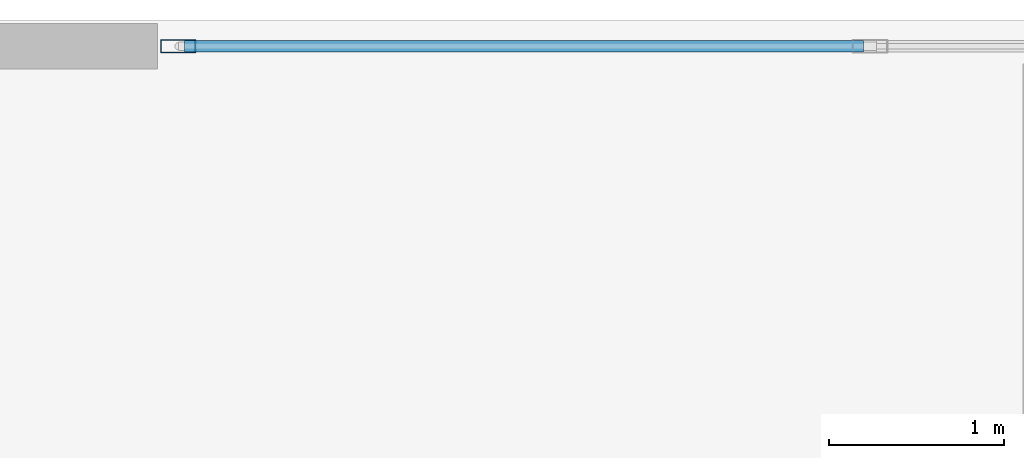
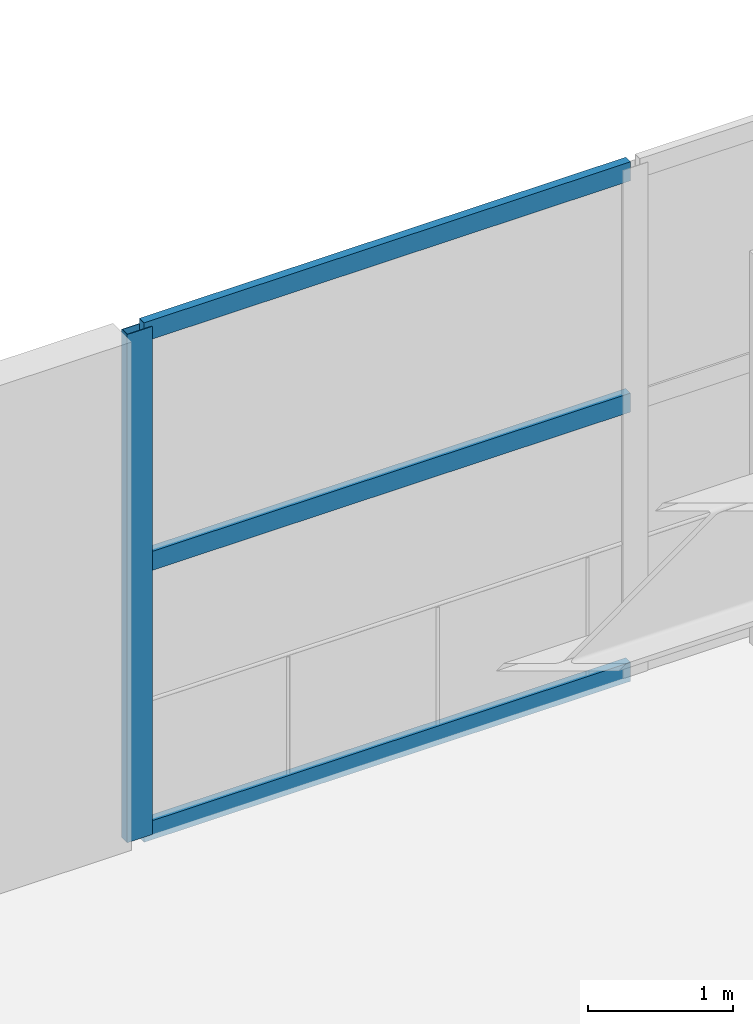
# One storey, part 10 of 25: 4 members, 1 element without a shape of its own.
"""IFC4 building model written with IfcOpenShell, lengths in metres."""

from ifc_helpers import new_model, si_unit, direction, frame, origin, origin_2d, place, context, subcontext, project, spatial, hollow_rectangle, extrude, material, layer, layer_set, material_profile, profile_set, type_object, element, aggregate, save


model = new_model("IFC4")

# Units and contexts
model_context = context("Model", 3, precision=1e-05, world=origin(), true_north=direction((0.0, 1.0)))
body_context = subcontext(model_context, "Body", "Model", "MODEL_VIEW")
ifc_project = project(units=[si_unit("LENGTHUNIT", "METRE"), si_unit("AREAUNIT", "SQUARE_METRE"), si_unit("VOLUMEUNIT", "CUBIC_METRE"), si_unit("PLANEANGLEUNIT", "RADIAN"), si_unit("MASSUNIT", "GRAM", prefix="KILO")], contexts=[model_context])

# Site, building, storey
site_placement = place(None, origin())
site = spatial("IfcSite", under=ifc_project, at=site_placement, CompositionType="ELEMENT")
building_placement = place(site_placement, origin())
building = spatial("IfcBuilding", under=site, at=building_placement, Name="Solvane Sanctuary Tower", CompositionType="ELEMENT")
storey_placement = place(building_placement, frame((0.0, 0.0, 13.800048828125)))
storey = spatial("IfcBuildingStorey", under=building, at=storey_placement, Name="L04", CompositionType="ELEMENT", Elevation=13.800048828125)

# Curtain wall, members
ifc_material = material(Name="Anodised Aluminium 6063-T6", Category="aluminium")
ifc_layer = layer(ifc_material, 0.159912109375, Name="Anodised Aluminium 6063-T6")
ifc_layer_set = layer_set([ifc_layer], Name="Anodised Aluminium 6063-T6")
curtain_wall_type = type_object("IfcCurtainWallType", Name="Curtain Wall CW-POD", PredefinedType="NOTDEFINED", material=ifc_layer_set)
curtain_wall_placement = place(storey_placement, origin())
curtain_wall = element("IfcCurtainWall", 1, at=curtain_wall_placement, inside=storey, type_object=curtain_wall_type, Name="L04 Sanctuary Curtain Wall N2", PredefinedType="NOTDEFINED")
ifc_material_profile_1 = material_profile(ifc_material, hollow_rectangle(XDim=0.074951171875, YDim=0.199951171875, WallThickness=0.00390625, at=origin_2d()), Name="ALU200X75X4")
ifc_profile_set_1 = profile_set([ifc_material_profile_1], Name="Anodised Aluminium 6063-T6")
member_type_1 = type_object("IfcMemberType", Name="Member M-CW-MUL-1 ALU200X75X4", PredefinedType="MULLION", material=ifc_profile_set_1)
member_1_placement = place(storey_placement, frame((20.117431640625, 45.85009765625, 0.0), z_axis=(0.0, 0.0, 1.0), x_axis=(0.0, -1.0, 0.0)))
member_1 = element("IfcMember", 2, at=member_1_placement, type_object=member_type_1, Name="CW-POD mullion 7", PredefinedType="MULLION", context=body_context, shape_type="SweptSolid", body=[
    extrude(hollow_rectangle(XDim=0.074951171875, YDim=0.199951171875, WallThickness=0.00390625, at=origin_2d()), origin(), (0.0, 0.0, 1.0), 4.280029296875),
])
ifc_material_profile_2 = material_profile(ifc_material, hollow_rectangle(XDim=0.06494140625, YDim=0.159912109375, WallThickness=0.00341796875, at=origin_2d()), Name="ALU160X65X3.5")
ifc_profile_set_2 = profile_set([ifc_material_profile_2], Name="Anodised Aluminium 6063-T6")
member_type_2 = type_object("IfcMemberType", Name="Member M-CW-TRN-1 ALU160X65X3.5", PredefinedType="USERDEFINED", material=ifc_profile_set_2)
member_2_placement = place(storey_placement, frame((24.029052734375, 45.85009765625, 0.032470703125), z_axis=(-1.0, 0.0, 0.0), x_axis=(0.0, -1.0, 0.0)))
member_2 = element("IfcMember", 3, at=member_2_placement, type_object=member_type_2, Name="CW-POD transom 6.1", ObjectType="TRANSOM", PredefinedType="USERDEFINED", context=body_context, shape_type="SweptSolid", body=[
    extrude(hollow_rectangle(XDim=0.06494140625, YDim=0.159912109375, WallThickness=0.00341796875, at=origin_2d()), origin(), (0.0, 0.0, 1.0), 3.8740234375),
])
member_3_placement = place(storey_placement, frame((24.029052734375, 45.85009765625, 2.300048828125), z_axis=(-1.0, 0.0, 0.0), x_axis=(0.0, -1.0, 0.0)))
member_3 = element("IfcMember", 4, at=member_3_placement, type_object=member_type_2, Name="CW-POD transom 6.2", ObjectType="TRANSOM", PredefinedType="USERDEFINED", context=body_context, shape_type="SweptSolid", body=[
    extrude(hollow_rectangle(XDim=0.06494140625, YDim=0.159912109375, WallThickness=0.00341796875, at=origin_2d()), origin(), (0.0, 0.0, 1.0), 3.8740234375),
])
member_4_placement = place(storey_placement, frame((24.029052734375, 45.85009765625, 4.24755859375), z_axis=(-1.0, 0.0, 0.0), x_axis=(0.0, -1.0, 0.0)))
member_4 = element("IfcMember", 5, at=member_4_placement, type_object=member_type_2, Name="CW-POD transom 6.3", ObjectType="TRANSOM", PredefinedType="USERDEFINED", context=body_context, shape_type="SweptSolid", body=[
    extrude(hollow_rectangle(XDim=0.06494140625, YDim=0.159912109375, WallThickness=0.00341796875, at=origin_2d()), origin(), (0.0, 0.0, 1.0), 3.8740234375),
])
aggregate(curtain_wall, [member_1, member_2, member_3, member_4])

save(model, "model.ifc")
